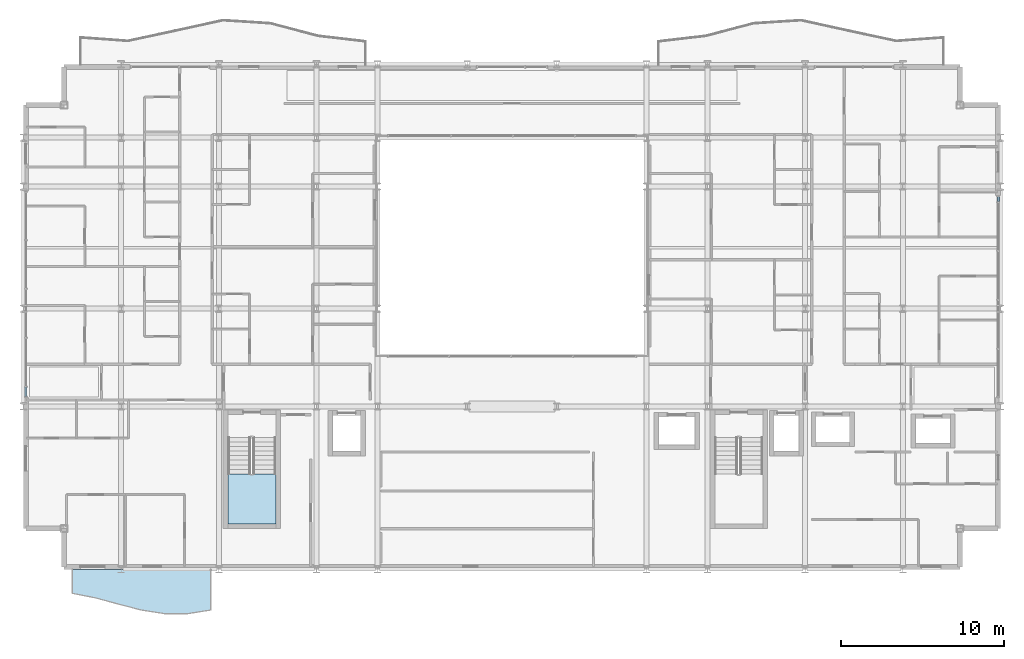
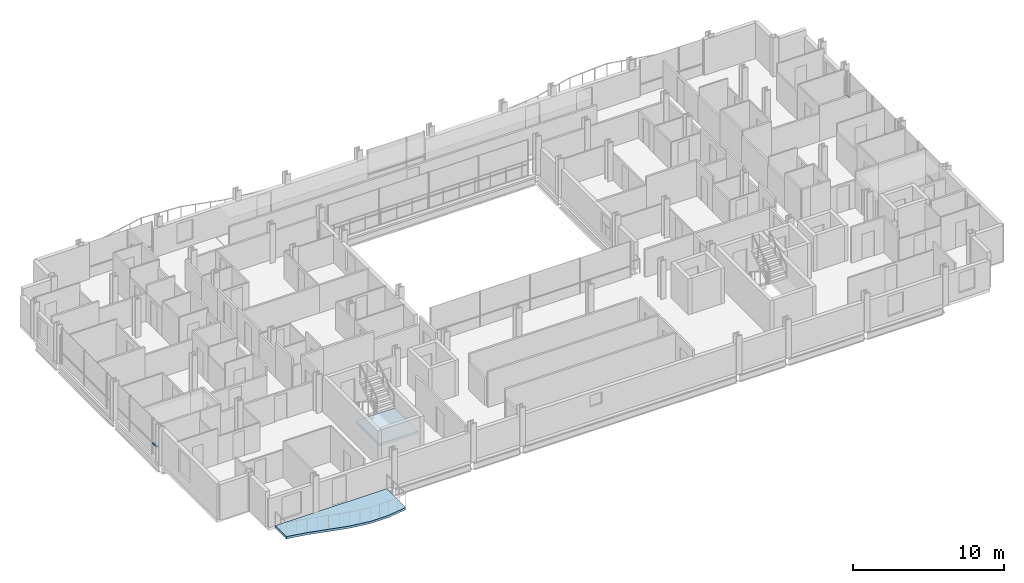
# One storey, part 25 of 41: 2 members, 2 slabs, 3 elements without a shape of their own.
"""IFC4 building model written with IfcOpenShell, lengths in metres."""

from ifc_helpers import new_model, si_unit, direction, frame, origin, origin_2d, place, context, subcontext, project, spatial, polyline, hollow_rectangle, outline, extrude, material, layer, layer_set, material_profile, profile_set, type_object, element, aggregate, save


model = new_model("IFC4")

# Units and contexts
model_context = context("Model", 3, precision=1e-05, world=origin(), true_north=direction((0.0, 1.0)))
body_context = subcontext(model_context, "Body", "Model", "MODEL_VIEW")
ifc_project = project(units=[si_unit("LENGTHUNIT", "METRE"), si_unit("AREAUNIT", "SQUARE_METRE"), si_unit("VOLUMEUNIT", "CUBIC_METRE"), si_unit("PLANEANGLEUNIT", "RADIAN"), si_unit("MASSUNIT", "GRAM", prefix="KILO")], contexts=[model_context])

# Site, building, storey
site_placement = place(None, origin())
site = spatial("IfcSite", under=ifc_project, at=site_placement, CompositionType="ELEMENT")
building_placement = place(site_placement, origin())
building = spatial("IfcBuilding", under=site, at=building_placement, Name="Brevholm Reach", CompositionType="ELEMENT")
storey_placement = place(building_placement, frame((0.0, 0.0, 86.89990234375)))
storey = spatial("IfcBuildingStorey", under=building, at=storey_placement, Name="L25", CompositionType="ELEMENT", Elevation=86.89990234375)

# Curtain wall, member
ifc_material_1 = material(Name="Dark Anodised Aluminium 6063-T6 and Solar-Control Glass", Category="aluminium")
ifc_layer_1 = layer(ifc_material_1, 0.14990234375)
ifc_layer_set_1 = layer_set([ifc_layer_1], Name="Dark Anodised Aluminium 6063-T6 and Solar-Control Glass")
curtain_wall_type = type_object("IfcCurtainWallType", Name="CW-01", PredefinedType="NOTDEFINED", material=ifc_layer_set_1)
curtain_wall_1_placement = place(storey_placement, origin())
curtain_wall_1 = element("IfcCurtainWall", 1, at=curtain_wall_1_placement, inside=storey, type_object=curtain_wall_type, Name="L25 Curtain Wall CW-01", PredefinedType="NOTDEFINED")
ifc_material_2 = material(Name="Dark Anodised Aluminium 6063-T6", Category="aluminium")
ifc_material_profile = material_profile(ifc_material_2, hollow_rectangle(XDim=0.06494140625, YDim=0.14990234375, WallThickness=0.0048828125, InnerFilletRadius=0.0048828125, OuterFilletRadius=0.010009765625, at=origin_2d()), Name="RHS 150x65x5")
ifc_profile_set = profile_set([ifc_material_profile], Name="Dark Anodised Aluminium 6063-T6")
member_type = type_object("IfcMemberType", Name="CWT-150", PredefinedType="NOTDEFINED", material=ifc_profile_set)
member_1_placement = place(storey_placement, frame((0.14990234375, 11.1875, 0.900146484375), z_axis=(0.0, -1.0, 0.0), x_axis=(0.0, 0.0, 1.0)))
member_1 = element("IfcMember", 2, at=member_1_placement, type_object=member_type, Name="CT-150 Transom 5.1", ObjectType="TRANSOM", PredefinedType="USERDEFINED", context=body_context, shape_type="SweptSolid", body=[
    extrude(hollow_rectangle(XDim=0.06494140625, YDim=0.14990234375, WallThickness=0.0048828125, InnerFilletRadius=0.0048828125, OuterFilletRadius=0.010009765625, at=origin_2d()), origin(), (0.0, 0.0, 1.0), 0.572509765625),
])
aggregate(curtain_wall_1, [member_1])

curtain_wall_2_placement = place(storey_placement, origin())
curtain_wall_2 = element("IfcCurtainWall", 3, at=curtain_wall_2_placement, inside=storey, type_object=curtain_wall_type, Name="L25 Curtain Wall CW-01", PredefinedType="NOTDEFINED")
member_2_placement = place(storey_placement, frame((59.85009765625, 22.58251953125, 0.900146484375), z_axis=(0.0, 1.0, 0.0), x_axis=(0.0, 0.0, 1.0)))
member_2 = element("IfcMember", 4, at=member_2_placement, type_object=member_type, Name="CT-150 Transom 5.1", ObjectType="TRANSOM", PredefinedType="USERDEFINED", context=body_context, shape_type="SweptSolid", body=[
    extrude(hollow_rectangle(XDim=0.06494140625, YDim=0.14990234375, WallThickness=0.0048828125, InnerFilletRadius=0.0048828125, OuterFilletRadius=0.010009765625, at=origin_2d()), origin(), (0.0, 0.0, 1.0), 0.302490234375),
])
aggregate(curtain_wall_2, [member_2])

# Slab
ifc_material_3 = material(Name="Precast Concrete C40/50", Category="concrete")
ifc_layer_2 = layer(ifc_material_3, 0.179931640625)
ifc_layer_set_2 = layer_set([ifc_layer_2], Name="Precast Concrete C40/50")
slab_type_1 = type_object("IfcSlabType", Name="SLB-BAL-180", PredefinedType="FLOOR", material=ifc_layer_set_2)
slab_1_placement = place(storey_placement, frame((0.0, 0.0, -0.179931640625)))
element("IfcSlab", 5, at=slab_1_placement, inside=storey, type_object=slab_type_1, Name="L25 Rippling External Balcony SW", PredefinedType="FLOOR", context=body_context, shape_type="SweptSolid", body=[
    extrude(outline(polyline([(3.0, -1.4736328125), (4.416748046875, -1.747802734375), (5.833251953125, -2.1337890625), (7.25, -2.499755859375), (8.666748046875, -2.720458984375), (10.083251953125, -2.720458984375), (11.5, -2.499755859375), (11.5, 0.0), (3.0, 0.0), (3.0, -1.4736328125)])), origin(), (0.0, 0.0, 1.0), 0.179931640625),
])

# Stair, slab
ifc_material_4 = material(Name="Precast Concrete C40/50", Category="concrete")
stair_type = type_object("IfcStairType", Name="STR-ESC-1400", PredefinedType="DOUBLE_RETURN_STAIR", material=ifc_material_4)
stair_placement = place(storey_placement, origin())
stair = element("IfcStair", 6, at=stair_placement, inside=storey, type_object=stair_type, Name="L25 ST-1", PredefinedType="DOUBLE_RETURN_STAIR")
ifc_material_5 = material(Name="Concrete C40/50", Category="concrete")
ifc_layer_3 = layer(ifc_material_5, 0.199951171875)
ifc_layer_set_3 = layer_set([ifc_layer_3], Name="Concrete C40/50")
slab_type_2 = type_object("IfcSlabType", Name="SLB-LND-200", PredefinedType="LANDING", material=ifc_layer_set_3)
slab_2_placement = place(storey_placement, frame((0.0, 0.0, 1.35009765625)))
slab_2 = element("IfcSlab", 7, at=slab_2_placement, type_object=slab_type_2, Name="ST-1 landing 1", PredefinedType="LANDING", context=body_context, shape_type="SweptSolid", body=[
    extrude(outline(polyline([(12.550048828125, 5.860107421875), (12.550048828125, 2.780029296875), (15.5, 2.780029296875), (15.5, 5.860107421875), (12.550048828125, 5.860107421875)])), origin(), (0.0, 0.0, 1.0), 0.199951171875),
])
aggregate(stair, [slab_2])

save(model, "model.ifc")
